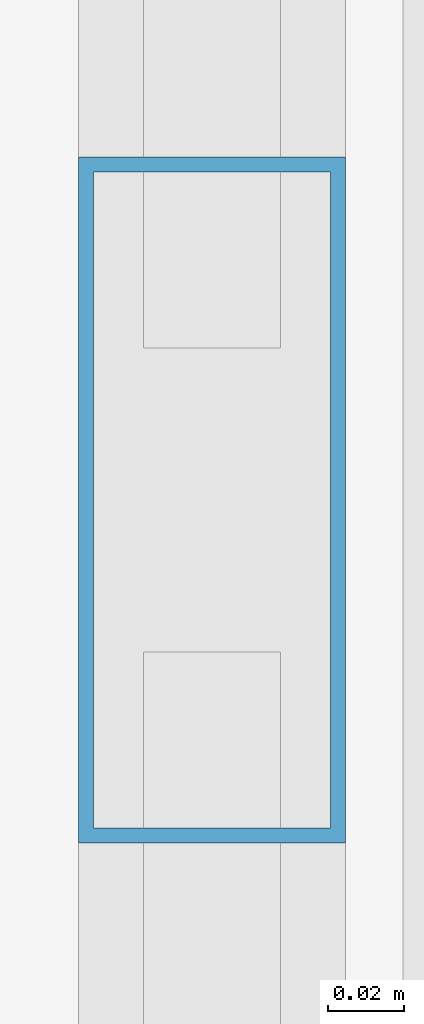
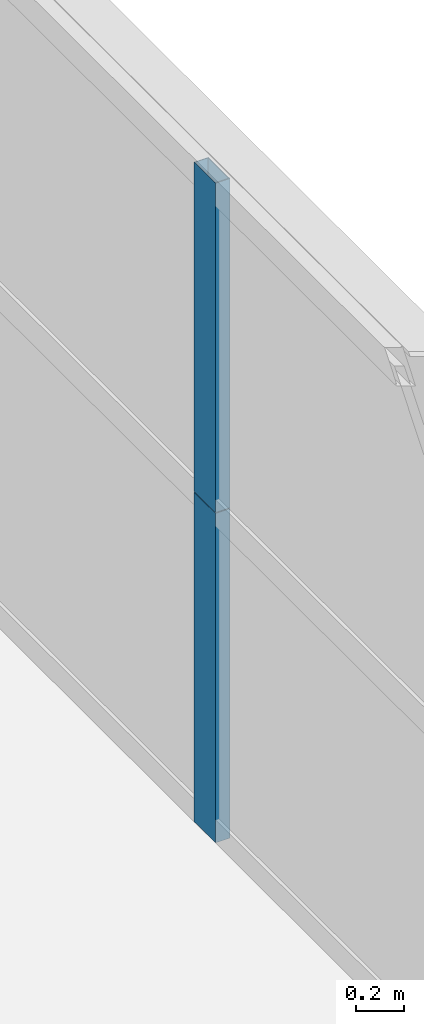
# One storey, part 19 of 43: 2 members, 1 element without a shape of its own.
"""IFC4 building model written with IfcOpenShell, lengths in metres."""

from ifc_helpers import new_model, si_unit, direction, frame, origin, origin_2d, place, context, subcontext, project, spatial, hollow_rectangle, extrude, source, transform, mapped, material, layer, layer_set, material_profile, profile_set, type_object, element, aggregate, save


model = new_model("IFC4")

# Units and contexts
model_context = context("Model", 3, precision=1e-05, world=origin(), true_north=direction((0.0, 1.0)))
body_context = subcontext(model_context, "Body", "Model", "MODEL_VIEW")
ifc_project = project(units=[si_unit("LENGTHUNIT", "METRE"), si_unit("AREAUNIT", "SQUARE_METRE"), si_unit("VOLUMEUNIT", "CUBIC_METRE"), si_unit("PLANEANGLEUNIT", "RADIAN"), si_unit("MASSUNIT", "GRAM", prefix="KILO"), si_unit("THERMODYNAMICTEMPERATUREUNIT", "KELVIN"), si_unit("POWERUNIT", "WATT")], contexts=[model_context])

# Site, building, storey
site_placement = place(None, origin())
site = spatial("IfcSite", under=ifc_project, at=site_placement, CompositionType="ELEMENT")
building_placement = place(site_placement, origin())
building = spatial("IfcBuilding", under=site, at=building_placement, Name="Yuzanri Waterfront Tower", CompositionType="ELEMENT")
storey_placement = place(building_placement, frame((0.0, 0.0, 60.39990234375)))
storey = spatial("IfcBuildingStorey", under=building, at=storey_placement, Name="L15", CompositionType="ELEMENT", Elevation=60.39990234375)

# Curtain wall, members
ifc_material_1 = material(Name="Anodized Architectural Bronze", Category="metal")
ifc_layer = layer(ifc_material_1, 0.159912109375)
ifc_layer_set = layer_set([ifc_layer], Name="Anodized Architectural Bronze")
curtain_wall_type = type_object("IfcCurtainWallType", Name="Anodized Bronze Hotel Lower-Tier Recessed Unitized Curtain Wall 8100", PredefinedType="NOTDEFINED", material=ifc_layer_set)
curtain_wall_placement = place(storey_placement, origin())
curtain_wall = element("IfcCurtainWall", 1, at=curtain_wall_placement, inside=storey, type_object=curtain_wall_type, Name="L15 Curtain Wall CW-L15-EL", PredefinedType="NOTDEFINED")
ifc_material_2 = material(Name="Anodized Architectural Bronze", Category="metal")
ifc_material_profile = material_profile(ifc_material_2, hollow_rectangle(XDim=0.070068359375, YDim=0.179931640625, WallThickness=0.00390625, at=origin_2d()), Name="CWM 70x180")
ifc_profile_set = profile_set([ifc_material_profile], Name="Anodized Architectural Bronze")
member_type = type_object("IfcMemberType", Name="Anodized Bronze Standard Curtain-Wall Mullion 70x180", PredefinedType="MULLION", material=ifc_profile_set)
shared_shape = source(origin(), body_context, "Body", "SweptSolid", [
    extrude(hollow_rectangle(XDim=0.070068359375, YDim=0.179931640625, WallThickness=0.00390625, at=origin_2d()), origin(), (0.0, 0.0, 1.0), 1.68798828125),
])
member_1_placement = place(storey_placement, frame((61.949951171875, 16.699951171875, 0.0), z_axis=(0.0, 0.0, 1.0), x_axis=(1.0, 0.0, 0.0)))
member_1 = element("IfcMember", 2, at=member_1_placement, type_object=member_type, Name="CW-L15-EL Lower Mullion 01", PredefinedType="MULLION", context=body_context, shape_type="MappedRepresentation", body=[
    mapped(shared_shape, transform((0.0, 0.0, 0.0), scale=1.0)),
])
member_2_placement = place(storey_placement, frame((61.949951171875, 16.699951171875, 1.692138671875), z_axis=(0.0, 0.0, 1.0), x_axis=(1.0, 0.0, 0.0)))
member_2 = element("IfcMember", 3, at=member_2_placement, type_object=member_type, Name="CW-L15-EL Upper Mullion 01", PredefinedType="MULLION", context=body_context, shape_type="MappedRepresentation", body=[
    mapped(shared_shape, transform((0.0, 0.0, 0.0), scale=1.0)),
])
aggregate(curtain_wall, [member_1, member_2])

save(model, "model.ifc")
